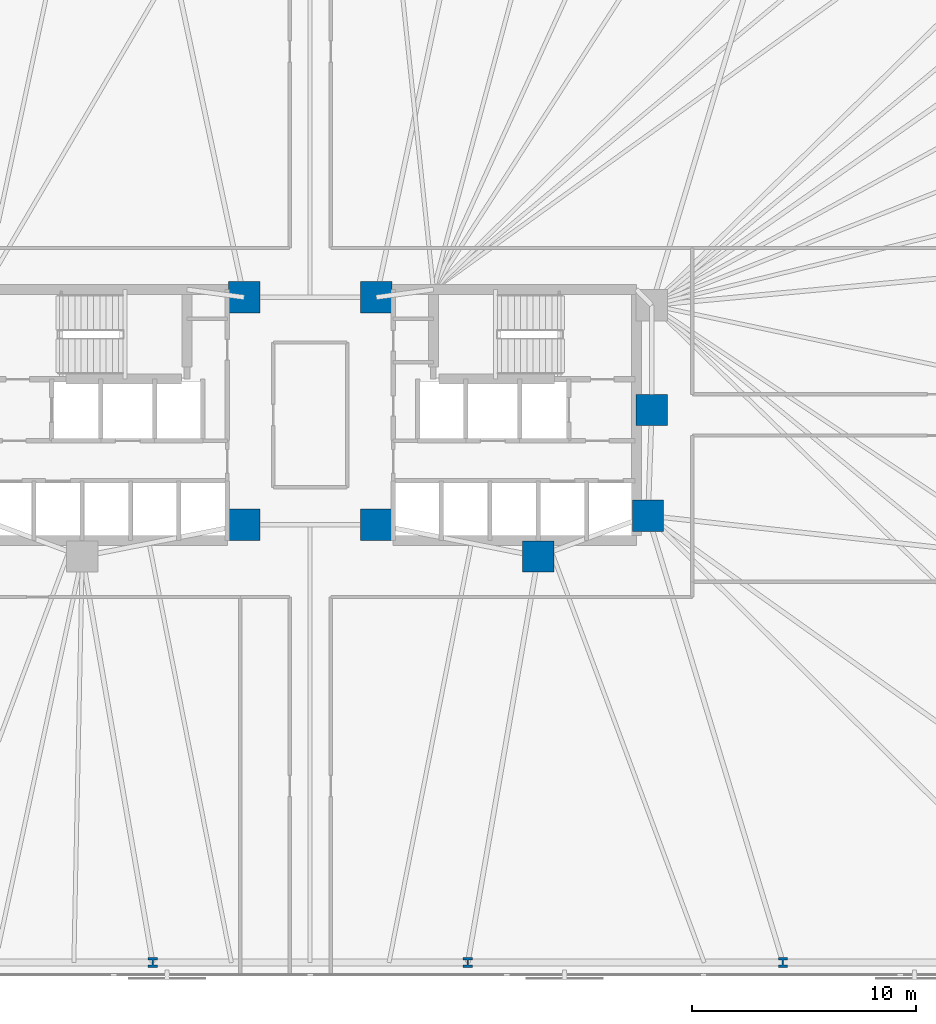
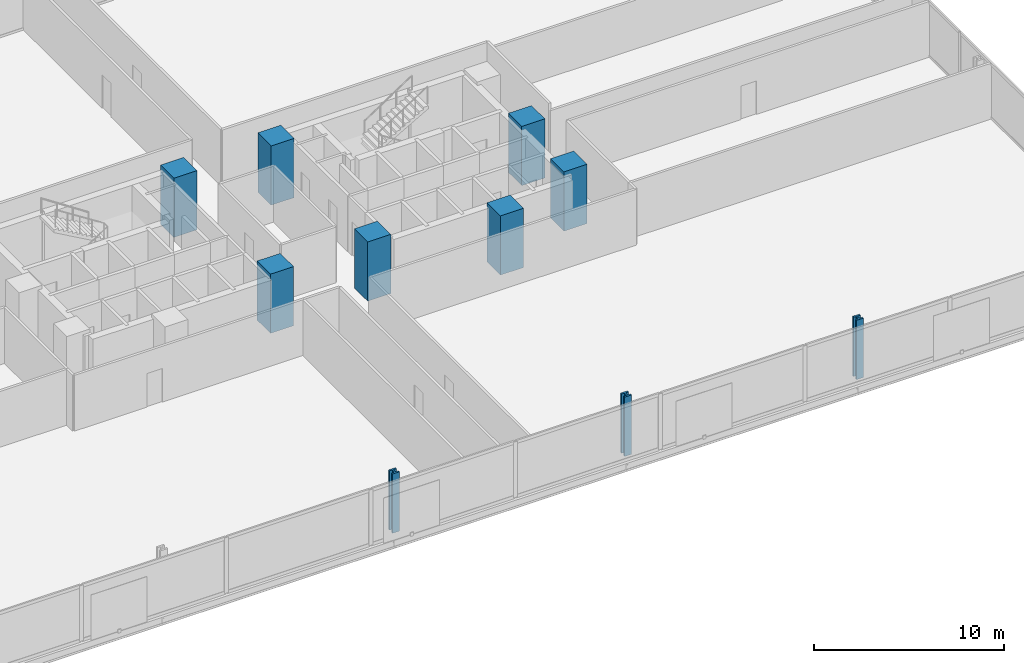
# One storey, part 3 of 16: 10 columns.
"""IFC4 building model written with IfcOpenShell, lengths in metres."""

from ifc_helpers import new_model, si_unit, direction, frame, origin, origin_2d, place, context, subcontext, project, spatial, rectangle, i_section, extrude, material, material_profile, profile_set, type_object, element, save


model = new_model("IFC4")

# Units and contexts
model_context = context("Model", 3, precision=1e-05, world=origin(), true_north=direction((0.0, 1.0)))
body_context = subcontext(model_context, "Body", "Model", "MODEL_VIEW")
ifc_project = project(units=[si_unit("LENGTHUNIT", "METRE"), si_unit("AREAUNIT", "SQUARE_METRE"), si_unit("VOLUMEUNIT", "CUBIC_METRE"), si_unit("PLANEANGLEUNIT", "RADIAN"), si_unit("MASSUNIT", "GRAM", prefix="KILO")], contexts=[model_context])

# Site, building, storey
site_placement = place(None, origin())
site = spatial("IfcSite", under=ifc_project, at=site_placement, CompositionType="ELEMENT")
building_placement = place(site_placement, origin())
building = spatial("IfcBuilding", under=site, at=building_placement, Name="Menara Jurai Vektor", CompositionType="ELEMENT")
storey_placement = place(building_placement, frame((0.0, 0.0, 40.800048828125)))
storey = spatial("IfcBuildingStorey", under=building, at=storey_placement, Name="L09", CompositionType="ELEMENT", Elevation=40.800048828125)

# Columns
ifc_material_1 = material(Name="Concrete C60/75", Category="concrete")
ifc_material_profile_1 = material_profile(ifc_material_1, rectangle(XDim=1.39990234375, YDim=1.39990234375, at=origin_2d()), Name="RC 1400x1400")
ifc_profile_set_1 = profile_set([ifc_material_profile_1], Name="Concrete C60/75")
column_type_1 = type_object("IfcColumnType", Name="STR-COL-RC1400", PredefinedType="COLUMN", material=ifc_profile_set_1)
for number, where, z_axis, x_axis, name in (
    (1, (-2.949951171875, -4.89990234375, 0.0), (0.0, 0.0, 1.0), (1.0, 0.0, 0.0), "Core Spine Column CW-SE L09"),
    (2, (-2.949951171875, 5.25, 0.0), (0.0, 0.0, 1.0), (1.0, 0.0, 0.0), "Core Spine Column CW-NE L09"),
    (3, (15.25, 0.219970703125, 0.0), (0.0, 0.0, 1.0), (1.0, 0.0, 0.0), "Core Spine Column CE-EM L09"),
    (4, (15.080078125, -4.5, 0.0), (0.0, 0.0, 1.0), (1.0, 0.0, 0.0), "Core Spine Column CE-SE L09"),
    (5, (10.179931640625, -6.320068359375, 0.0), (0.0, 0.0, 1.0), (1.0, 0.0, 0.0), "Core Spine Column CE-SM L09"),
    (6, (2.949951171875, -4.89990234375, 0.0), (0.0, 0.0, 1.0), (1.0, 0.0, 0.0), "Core Spine Column CE-SW L09"),
    (7, (2.949951171875, 5.25, 0.0), (0.0, 0.0, 1.0), (1.0, 0.0, 0.0), "Core Spine Column CE-NW L09"),
):
    element("IfcColumn", number, at=place(storey_placement, frame(where, z_axis=z_axis, x_axis=x_axis)), inside=storey, type_object=column_type_1, Name=name, PredefinedType="COLUMN", context=body_context, shape_type="SweptSolid", body=[
        extrude(rectangle(XDim=1.39990234375, YDim=1.39990234375, at=origin_2d()), origin(), (0.0, 0.0, 1.0), 3.800048828125),
    ])
ifc_material_2 = material(Name="Steel S460", Category="steel")
ifc_material_profile_2 = material_profile(ifc_material_2, i_section(OverallWidth=0.419921875, OverallDepth=0.430908203125, WebThickness=0.06494140625, FlangeThickness=0.10595703125, FilletRadius=0.014892578125, at=origin_2d()), Name="HD 400x900")
ifc_profile_set_2 = profile_set([ifc_material_profile_2], Name="Steel S460")
column_type_2 = type_object("IfcColumnType", Name="STR-EXO-BLK1", PredefinedType="COLUMN", material=ifc_profile_set_2)
for number, where, z_axis, x_axis, name in (
    (8, (-7.03564453125, -24.449951171875, 0.0), (0.0, 0.0, 1.0), (1.0, 0.0, 0.0), "Exoskeleton Column BLK1-S3 L09"),
    (9, (7.03564453125, -24.449951171875, 0.0), (0.0, 0.0, 1.0), (1.0, 0.0, 0.0), "Exoskeleton Column BLK1-S4 L09"),
    (10, (21.106689453125, -24.449951171875, 0.0), (0.0, 0.0, 1.0), (1.0, 0.0, 0.0), "Exoskeleton Column BLK1-S5 L09"),
):
    element("IfcColumn", number, at=place(storey_placement, frame(where, z_axis=z_axis, x_axis=x_axis)), inside=storey, type_object=column_type_2, Name=name, PredefinedType="COLUMN", context=body_context, shape_type="SweptSolid", body=[
        extrude(i_section(OverallWidth=0.419921875, OverallDepth=0.430908203125, WebThickness=0.06494140625, FlangeThickness=0.10595703125, FilletRadius=0.014892578125, at=origin_2d()), origin(), (0.0, 0.0, 1.0), 3.800048828125),
    ])

save(model, "model.ifc")
